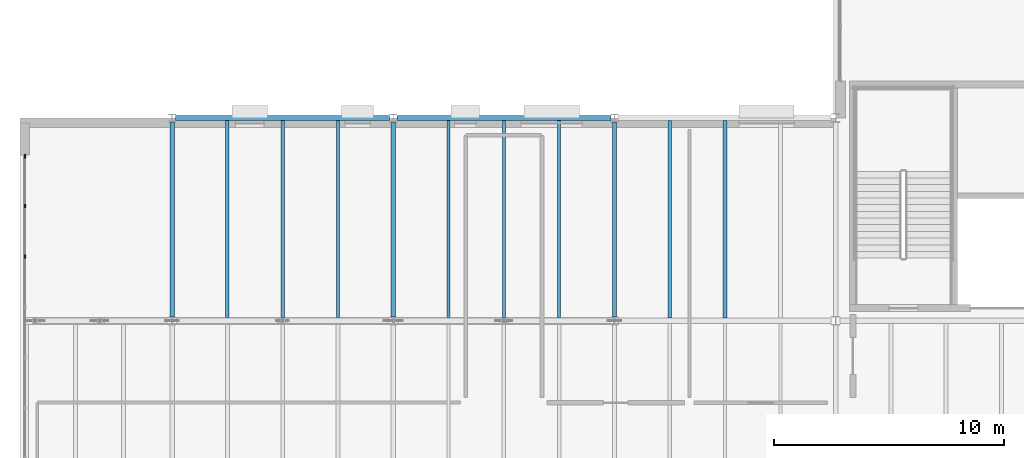
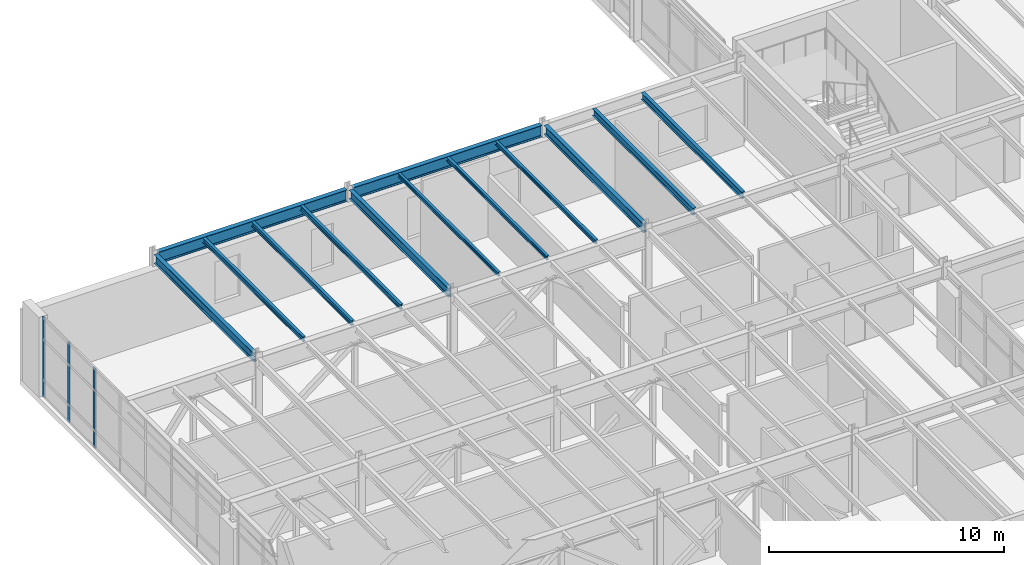
# One storey, part 34 of 88: 13 beams, 3 members, 1 element without a shape of its own.
"""IFC4 building model written with IfcOpenShell, lengths in metres."""

from ifc_helpers import new_model, si_unit, direction, frame, origin, origin_2d, place, context, subcontext, project, spatial, rectangle, i_section, extrude, material, material_profile, profile_set, type_object, element, aggregate, save


model = new_model("IFC4")

# Units and contexts
model_context = context("Model", 3, precision=1e-05, world=origin(), true_north=direction((0.0, 1.0)))
body_context = subcontext(model_context, "Body", "Model", "MODEL_VIEW")
ifc_project = project(units=[si_unit("LENGTHUNIT", "METRE"), si_unit("AREAUNIT", "SQUARE_METRE"), si_unit("VOLUMEUNIT", "CUBIC_METRE"), si_unit("PLANEANGLEUNIT", "RADIAN"), si_unit("MASSUNIT", "GRAM", prefix="KILO")], contexts=[model_context])

# Site, building, storey
site_placement = place(None, origin())
site = spatial("IfcSite", under=ifc_project, at=site_placement, CompositionType="ELEMENT")
building_placement = place(site_placement, origin())
building = spatial("IfcBuilding", under=site, at=building_placement, Name="Sarnbrook Museum", CompositionType="ELEMENT")
storey_placement = place(building_placement, frame((0.0, 0.0, 10.10009765625)))
storey = spatial("IfcBuildingStorey", under=building, at=storey_placement, Name="L02", CompositionType="ELEMENT", Elevation=10.10009765625)

# Beams
ifc_material_1 = material(Name="Structural Steel Grade 300PLUS (AS/NZS 3679.1, fy = 280 MPa for 17 < t <= 40 mm, 300 MPa for t <= 17 mm)", Category="steel")
ifc_material_profile_1 = material_profile(ifc_material_1, i_section(OverallWidth=0.18994140625, OverallDepth=0.45703125, WebThickness=0.009033203125, FlangeThickness=0.014404296875, FilletRadius=0.011474609375, at=origin_2d()), Name="460UB74.6")
ifc_profile_set_1 = profile_set([ifc_material_profile_1], Name="Structural Steel Grade 300PLUS (AS/NZS 3679.1, fy = 280 MPa for 17 < t <= 40 mm, 300 MPa for t <= 17 mm)")
beam_type_1 = type_object("IfcBeamType", Name="BM-UB460", PredefinedType="BEAM", material=ifc_profile_set_1)
for number, where, z_axis, x_axis, name in (
    (1, (13.60009765625, 83.363525390625, 4.0615234375), (0.0, 1.0, 0.0), (-1.0, 0.0, 0.0), "Girder 2:K-L L02"),
    (2, (23.199951171875, 83.363525390625, 4.0615234375), (0.0, 1.0, 0.0), (-1.0, 0.0, 0.0), "Girder 3:K-L L02"),
    (3, (32.800048828125, 83.363525390625, 4.0615234375), (0.0, 1.0, 0.0), (-1.0, 0.0, 0.0), "Girder 4:K-L L02"),
):
    element("IfcBeam", number, at=place(storey_placement, frame(where, z_axis=z_axis, x_axis=x_axis)), inside=storey, type_object=beam_type_1, Name=name, PredefinedType="BEAM", context=body_context, shape_type="SweptSolid", body=[
        extrude(i_section(OverallWidth=0.18994140625, OverallDepth=0.45703125, WebThickness=0.009033203125, FlangeThickness=0.014404296875, FilletRadius=0.011474609375, at=origin_2d()), origin(), (0.0, 0.0, 1.0), 8.472900390625),
    ])
ifc_material_profile_2 = material_profile(ifc_material_1, i_section(OverallWidth=0.22802734375, OverallDepth=0.60693359375, WebThickness=0.01123046875, FlangeThickness=0.017333984375, FilletRadius=0.013916015625, at=origin_2d()), Name="610UB113")
ifc_profile_set_2 = profile_set([ifc_material_profile_2], Name="Structural Steel Grade 300PLUS (AS/NZS 3679.1, fy = 280 MPa for 17 < t <= 40 mm, 300 MPa for t <= 17 mm)")
beam_type_2 = type_object("IfcBeamType", Name="BM-UB610", PredefinedType="BEAM", material=ifc_profile_set_2)
beam_1_placement = place(storey_placement, frame((13.755615234375, 92.0, 3.986328125), z_axis=(1.0, 0.0, 0.0), x_axis=(0.0, 1.0, 0.0)))
element("IfcBeam", 4, at=beam_1_placement, inside=storey, type_object=beam_type_2, Name="Girder L:2-3 L02", PredefinedType="BEAM", context=body_context, shape_type="SweptSolid", body=[
    extrude(i_section(OverallWidth=0.22802734375, OverallDepth=0.60693359375, WebThickness=0.01123046875, FlangeThickness=0.017333984375, FilletRadius=0.013916015625, at=origin_2d()), origin(), (0.0, 0.0, 1.0), 9.288818359375),
])
beam_2_placement = place(storey_placement, frame((23.35546875, 92.0, 3.986328125), z_axis=(1.0, 0.0, 0.0), x_axis=(0.0, 1.0, 0.0)))
element("IfcBeam", 5, at=beam_2_placement, inside=storey, type_object=beam_type_2, Name="Girder L:3-4 L02", PredefinedType="BEAM", context=body_context, shape_type="SweptSolid", body=[
    extrude(i_section(OverallWidth=0.22802734375, OverallDepth=0.60693359375, WebThickness=0.01123046875, FlangeThickness=0.017333984375, FilletRadius=0.013916015625, at=origin_2d()), origin(), (0.0, 0.0, 1.0), 9.2890625),
])

# Curtain wall, members
ifc_material_2 = material(Name="Thermally Broken Anodised Aluminium 6063-T6", Category="aluminium")
curtain_wall_type = type_object("IfcCurtainWallType", Name="CurtainWall_GalleryRibbon", PredefinedType="NOTDEFINED", material=ifc_material_2)
curtain_wall_placement = place(storey_placement, origin())
curtain_wall = element("IfcCurtainWall", 6, at=curtain_wall_placement, inside=storey, type_object=curtain_wall_type, Name="Gallery Ribbon Curtain Wall L02-8.1", PredefinedType="NOTDEFINED")
ifc_material_profile_3 = material_profile(ifc_material_2, rectangle(XDim=0.06005859375, YDim=0.159912109375, at=origin_2d()), Name="ALU MULLION 60x160")
ifc_profile_set_3 = profile_set([ifc_material_profile_3], Name="Thermally Broken Anodised Aluminium 6063-T6")
member_type = type_object("IfcMemberType", Name="CW_Mullion_150x65", PredefinedType="MULLION", material=ifc_profile_set_3)
member_1_placement = place(storey_placement, frame((7.2099609375, 90.340087890625, 0.0), z_axis=(0.0, 0.0, 1.0), x_axis=(1.0, 0.0, 0.0)))
member_1 = element("IfcMember", 7, at=member_1_placement, type_object=member_type, Name="Gallery Ribbon Curtain Wall L02-8.1 Mullion 1", PredefinedType="MULLION", context=body_context, shape_type="SweptSolid", body=[
    extrude(rectangle(XDim=0.06005859375, YDim=0.159912109375, at=origin_2d()), origin(), (0.0, 0.0, 1.0), 4.159912109375),
])
member_2_placement = place(storey_placement, frame((7.2099609375, 88.185791015625, 0.0), z_axis=(0.0, 0.0, 1.0), x_axis=(1.0, 0.0, 0.0)))
member_2 = element("IfcMember", 8, at=member_2_placement, type_object=member_type, Name="Gallery Ribbon Curtain Wall L02-8.1 Mullion 2", PredefinedType="MULLION", context=body_context, shape_type="SweptSolid", body=[
    extrude(rectangle(XDim=0.06005859375, YDim=0.159912109375, at=origin_2d()), origin(), (0.0, 0.0, 1.0), 4.159912109375),
])
member_3_placement = place(storey_placement, frame((7.2099609375, 85.991455078125, 0.0), z_axis=(0.0, 0.0, 1.0), x_axis=(1.0, 0.0, 0.0)))
member_3 = element("IfcMember", 9, at=member_3_placement, type_object=member_type, Name="Gallery Ribbon Curtain Wall L02-8.1 Mullion 3", PredefinedType="MULLION", context=body_context, shape_type="SweptSolid", body=[
    extrude(rectangle(XDim=0.06005859375, YDim=0.159912109375, at=origin_2d()), origin(), (0.0, 0.0, 1.0), 4.159912109375),
])
aggregate(curtain_wall, [member_1, member_2, member_3])

# Beams
ifc_material_profile_4 = material_profile(ifc_material_1, i_section(OverallWidth=0.134033203125, OverallDepth=0.20703125, WebThickness=0.00634765625, FlangeThickness=0.009521484375, FilletRadius=0.0087890625, at=origin_2d()), Name="200UB29.8")
ifc_profile_set_4 = profile_set([ifc_material_profile_4], Name="Structural Steel Grade 300PLUS (AS/NZS 3679.1, fy = 280 MPa for 17 < t <= 40 mm, 300 MPa for t <= 17 mm)")
beam_type_3 = type_object("IfcBeamType", Name="JS-UB200", PredefinedType="JOIST", material=ifc_profile_set_4)
for number, where, z_axis, x_axis, name in (
    (10, (25.60009765625, 83.35009765625, 4.1865234375), (0.0, 1.0, 0.0), (-1.0, 0.0, 0.0), "Composite Floor Joist 3K-1 L02"),
    (11, (28.0, 83.35009765625, 4.1865234375), (0.0, 1.0, 0.0), (-1.0, 0.0, 0.0), "Composite Floor Joist 3K-2 L02"),
    (12, (30.39990234375, 83.35009765625, 4.1865234375), (0.0, 1.0, 0.0), (-1.0, 0.0, 0.0), "Composite Floor Joist 3K-3 L02"),
):
    element("IfcBeam", number, at=place(storey_placement, frame(where, z_axis=z_axis, x_axis=x_axis)), inside=storey, type_object=beam_type_3, Name=name, PredefinedType="JOIST", context=body_context, shape_type="SweptSolid", body=[
        extrude(i_section(OverallWidth=0.134033203125, OverallDepth=0.20703125, WebThickness=0.00634765625, FlangeThickness=0.009521484375, FilletRadius=0.0087890625, at=origin_2d()), origin(), (0.0, 0.0, 1.0), 8.535888671875),
    ])
ifc_material_profile_5 = material_profile(ifc_material_1, i_section(OverallWidth=0.14599609375, OverallDepth=0.256103515625, WebThickness=0.00634765625, FlangeThickness=0.010986328125, FilletRadius=0.0087890625, at=origin_2d()), Name="250UB37.3")
ifc_profile_set_5 = profile_set([ifc_material_profile_5], Name="Structural Steel Grade 300PLUS (AS/NZS 3679.1, fy = 280 MPa for 17 < t <= 40 mm, 300 MPa for t <= 17 mm)")
beam_type_4 = type_object("IfcBeamType", Name="JS-UB250", PredefinedType="JOIST", material=ifc_profile_set_5)
for number, where, z_axis, x_axis, name in (
    (13, (16.0, 83.35009765625, 4.161865234375), (0.0, 1.0, 0.0), (-1.0, 0.0, 0.0), "Composite Floor Joist 2K-1 L02"),
    (14, (18.39990234375, 83.35009765625, 4.161865234375), (0.0, 1.0, 0.0), (-1.0, 0.0, 0.0), "Composite Floor Joist 2K-2 L02"),
    (15, (20.800048828125, 83.35009765625, 4.161865234375), (0.0, 1.0, 0.0), (-1.0, 0.0, 0.0), "Composite Floor Joist 2K-3 L02"),
):
    element("IfcBeam", number, at=place(storey_placement, frame(where, z_axis=z_axis, x_axis=x_axis)), inside=storey, type_object=beam_type_4, Name=name, PredefinedType="JOIST", context=body_context, shape_type="SweptSolid", body=[
        extrude(i_section(OverallWidth=0.14599609375, OverallDepth=0.256103515625, WebThickness=0.00634765625, FlangeThickness=0.010986328125, FilletRadius=0.0087890625, at=origin_2d()), origin(), (0.0, 0.0, 1.0), 8.535888671875),
    ])
ifc_material_profile_6 = material_profile(ifc_material_1, i_section(OverallWidth=0.1708984375, OverallDepth=0.35595703125, WebThickness=0.00732421875, FlangeThickness=0.011474609375, FilletRadius=0.011474609375, at=origin_2d()), Name="360UB50.7")
ifc_profile_set_6 = profile_set([ifc_material_profile_6], Name="Structural Steel Grade 300PLUS (AS/NZS 3679.1, fy = 280 MPa for 17 < t <= 40 mm, 300 MPa for t <= 17 mm)")
beam_type_5 = type_object("IfcBeamType", Name="JS-UB360", PredefinedType="JOIST", material=ifc_profile_set_6)
for number, where, z_axis, x_axis, name in (
    (16, (35.199951171875, 83.31396484375, 4.11181640625), (0.0, 1.0, 0.0), (-1.0, 0.0, 0.0), "Composite Floor Joist 4K-1 L02"),
    (17, (37.60009765625, 83.31396484375, 4.11181640625), (0.0, 1.0, 0.0), (-1.0, 0.0, 0.0), "Composite Floor Joist 4K-2 L02"),
):
    element("IfcBeam", number, at=place(storey_placement, frame(where, z_axis=z_axis, x_axis=x_axis)), inside=storey, type_object=beam_type_5, Name=name, PredefinedType="JOIST", context=body_context, shape_type="SweptSolid", body=[
        extrude(i_section(OverallWidth=0.1708984375, OverallDepth=0.35595703125, WebThickness=0.00732421875, FlangeThickness=0.011474609375, FilletRadius=0.011474609375, at=origin_2d()), origin(), (0.0, 0.0, 1.0), 8.572021484375),
    ])

save(model, "model.ifc")
